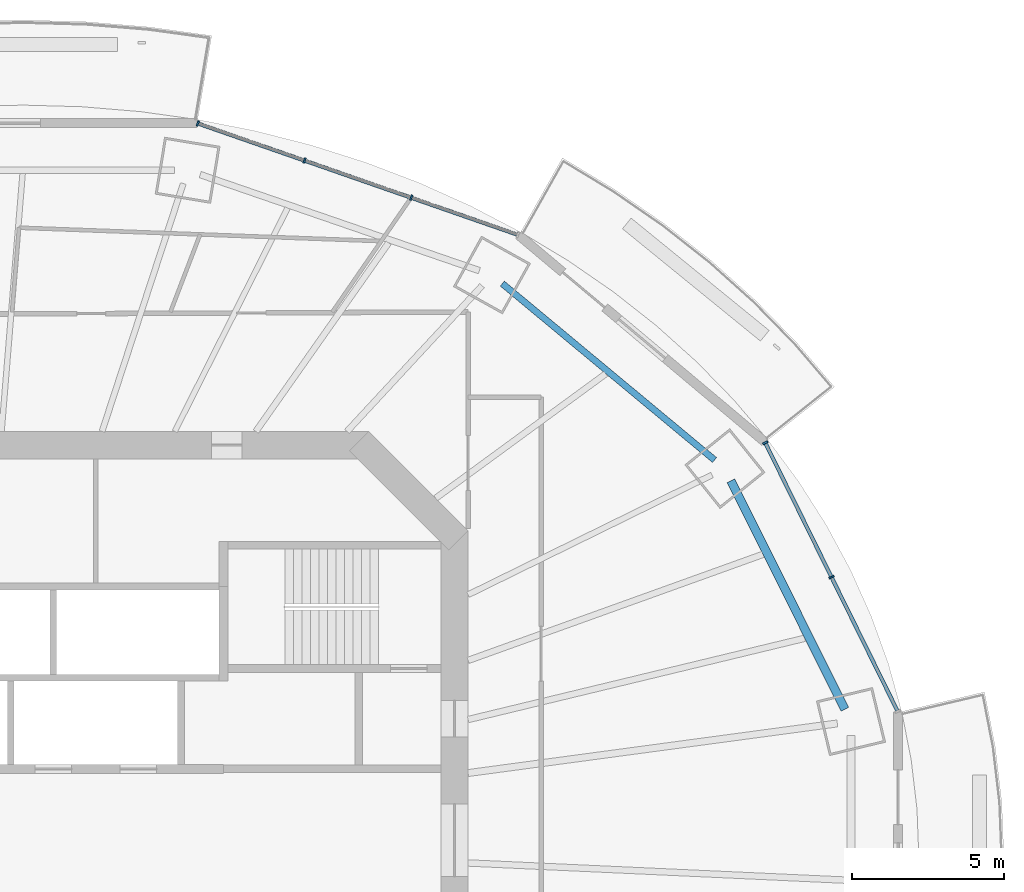
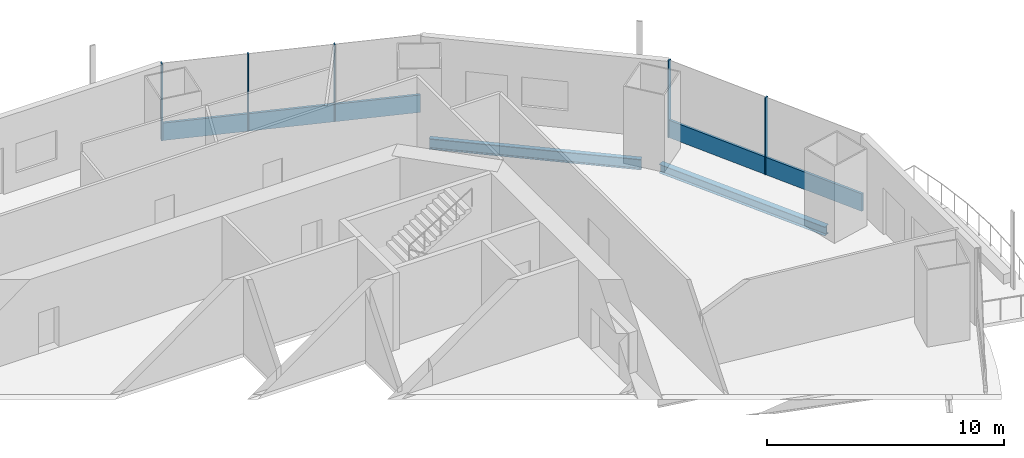
# One storey, part 8 of 18: 7 members, 2 beams, 2 elements without a shape of their own.
"""IFC4 building model written with IfcOpenShell, lengths in metres."""

from ifc_helpers import new_model, si_unit, direction, frame, origin, origin_2d, place, context, subcontext, project, spatial, rectangle, i_section, extrude, material, material_profile, profile_set, type_object, element, aggregate, save


model = new_model("IFC4")

# Units and contexts
model_context = context("Model", 3, precision=1e-05, world=origin(), true_north=direction((0.0, 1.0)))
body_context = subcontext(model_context, "Body", "Model", "MODEL_VIEW")
ifc_project = project(units=[si_unit("LENGTHUNIT", "METRE"), si_unit("AREAUNIT", "SQUARE_METRE"), si_unit("VOLUMEUNIT", "CUBIC_METRE"), si_unit("PLANEANGLEUNIT", "RADIAN"), si_unit("MASSUNIT", "GRAM", prefix="KILO")], contexts=[model_context])

# Site, building, storey
site_placement = place(None, origin())
site = spatial("IfcSite", under=ifc_project, at=site_placement, CompositionType="ELEMENT")
building_placement = place(site_placement, origin())
building = spatial("IfcBuilding", under=site, at=building_placement, Name="Marenthal Gate Tower", CompositionType="ELEMENT")
storey_placement = place(building_placement, frame((0.0, 0.0, 264.800048828125)))
storey = spatial("IfcBuildingStorey", under=building, at=storey_placement, Name="L59", CompositionType="ELEMENT", Elevation=264.800048828125)

# Curtain wall, members
ifc_material_1 = material(Name="Aluminium and glass", Category="aluminium")
curtain_wall_type = type_object("IfcCurtainWallType", Name="Curtain wall typical mid", PredefinedType="NOTDEFINED", material=ifc_material_1)
curtain_wall_1_placement = place(storey_placement, origin())
curtain_wall_1 = element("IfcCurtainWall", 1, at=curtain_wall_1_placement, inside=storey, type_object=curtain_wall_type, Name="Curtain wall L59 bay 1", PredefinedType="NOTDEFINED")
ifc_material_2 = material(Name="Aluminium", Category="aluminium")
ifc_material_profile_1 = material_profile(ifc_material_2, rectangle(XDim=0.179931640625, YDim=0.06005859375, at=origin_2d()), Name="60x180 aluminium mullion")
ifc_profile_set_1 = profile_set([ifc_material_profile_1], Name="Aluminium")
member_type_1 = type_object("IfcMemberType", Name="Mullion 60x180 typical mid", PredefinedType="MULLION", material=ifc_profile_set_1)
member_1_placement = place(storey_placement, frame((28.40478515625, 8.65869140625, 0.0), z_axis=(0.0, 0.0, 1.0), x_axis=(-0.896920632002, -0.442191564697, 0.0)))
member_1 = element("IfcMember", 2, at=member_1_placement, type_object=member_type_1, Name="Mullion L59 bay 1.2", PredefinedType="MULLION", context=body_context, shape_type="SweptSolid", body=[
    extrude(rectangle(XDim=0.179931640625, YDim=0.06005859375, at=origin_2d()), origin(), (0.0, 0.0, 1.0), 3.969970703125),
])
member_2_placement = place(storey_placement, frame((26.22607421875, 13.077880859375, 0.0), z_axis=(0.0, 0.0, 1.0), x_axis=(-0.896920632002, -0.442191564697, 0.0)))
member_2 = element("IfcMember", 3, at=member_2_placement, type_object=member_type_1, Name="Mullion L59 bay 1.3", PredefinedType="MULLION", context=body_context, shape_type="SweptSolid", body=[
    extrude(rectangle(XDim=0.179931640625, YDim=0.06005859375, at=origin_2d()), origin(), (0.0, 0.0, 1.0), 3.969970703125),
])

curtain_wall_2_placement = place(storey_placement, origin())
curtain_wall_2 = element("IfcCurtainWall", 4, at=curtain_wall_2_placement, inside=storey, type_object=curtain_wall_type, Name="Curtain wall L59 bay 3", PredefinedType="NOTDEFINED")
member_3_placement = place(storey_placement, frame((14.57470703125, 21.141845703125, 0.0), z_axis=(0.0, 0.0, 1.0), x_axis=(-0.328669787971, -0.944444900709, 0.0)))
member_3 = element("IfcMember", 5, at=member_3_placement, type_object=member_type_1, Name="Mullion L59 bay 3.2", PredefinedType="MULLION", context=body_context, shape_type="SweptSolid", body=[
    extrude(rectangle(XDim=0.179931640625, YDim=0.06005859375, at=origin_2d()), origin(), (0.0, 0.0, 1.0), 3.969970703125),
])
member_4_placement = place(storey_placement, frame((11.0654296875, 22.363037109375, 0.0), z_axis=(0.0, 0.0, 1.0), x_axis=(-0.328669787971, -0.944444900709, 0.0)))
member_4 = element("IfcMember", 6, at=member_4_placement, type_object=member_type_1, Name="Mullion L59 bay 3.3", PredefinedType="MULLION", context=body_context, shape_type="SweptSolid", body=[
    extrude(rectangle(XDim=0.179931640625, YDim=0.06005859375, at=origin_2d()), origin(), (0.0, 0.0, 1.0), 3.969970703125),
])
member_5_placement = place(storey_placement, frame((7.556396484375, 23.584228515625, 0.0), z_axis=(0.0, 0.0, 1.0), x_axis=(-0.328669787971, -0.944444900709, 0.0)))
member_5 = element("IfcMember", 7, at=member_5_placement, type_object=member_type_1, Name="Mullion L59 bay 3.4", PredefinedType="MULLION", context=body_context, shape_type="SweptSolid", body=[
    extrude(rectangle(XDim=0.179931640625, YDim=0.06005859375, at=origin_2d()), origin(), (0.0, 0.0, 1.0), 3.969970703125),
])

# Member
ifc_material_3 = material(Name="Aluminium", Category="aluminium")
ifc_material_profile_2 = material_profile(ifc_material_3, rectangle(XDim=0.1201171875, YDim=0.89990234375, at=origin_2d()), Name="120x900 aluminium transom")
ifc_profile_set_2 = profile_set([ifc_material_profile_2], Name="Aluminium")
member_type_2 = type_object("IfcMemberType", Name="Transom 120x900 typical mid", PredefinedType="USERDEFINED", material=ifc_profile_set_2)
member_6_placement = place(storey_placement, frame((30.5703125, 4.266357421875, 0.449951171875), z_axis=(-0.442201293044, 0.896915835756, 0.0), x_axis=(-0.896915835756, -0.442201293044, 0.0)))
member_6 = element("IfcMember", 8, at=member_6_placement, type_object=member_type_2, Name="Transom L59 bay 1", ObjectType="TRANSOM", PredefinedType="USERDEFINED", context=body_context, shape_type="SweptSolid", body=[
    extrude(rectangle(XDim=0.1201171875, YDim=0.89990234375, at=origin_2d()), origin(), (0.0, 0.0, 1.0), 9.794189453125),
])

aggregate(curtain_wall_1, [member_1, member_2, member_6])

member_7_placement = place(storey_placement, frame((18.055419921875, 19.930419921875, 0.449951171875), z_axis=(-0.944445984358, 0.328666674047, 0.0), x_axis=(-0.328666674047, -0.944445984358, 0.0)))
member_7 = element("IfcMember", 9, at=member_7_placement, type_object=member_type_2, Name="Transom L59 bay 3", ObjectType="TRANSOM", PredefinedType="USERDEFINED", context=body_context, shape_type="SweptSolid", body=[
    extrude(rectangle(XDim=0.1201171875, YDim=0.89990234375, at=origin_2d()), origin(), (0.0, 0.0, 1.0), 11.086669921875),
])

aggregate(curtain_wall_2, [member_3, member_4, member_5, member_7])

# Beams
ifc_material_4 = material(Name="Steel S355", Category="steel")
ifc_material_profile_3 = material_profile(ifc_material_4, i_section(OverallWidth=0.279052734375, OverallDepth=0.4619140625, WebThickness=0.0107421875, FlangeThickness=0.017333984375, FilletRadius=0.010009765625, at=origin_2d()), Name="W460X113")
ifc_profile_set_3 = profile_set([ifc_material_profile_3], Name="Steel S355")
beam_type_1 = type_object("IfcBeamType", Name="W460X113 beam", PredefinedType="BEAM", material=ifc_profile_set_3)
beam_1_placement = place(storey_placement, frame((28.8466796875, 4.306396484375, -0.4111328125), z_axis=(-0.446062695792, 0.895001715877, 0.0), x_axis=(-0.895001715877, -0.446062695792, 0.0)))
element("IfcBeam", 10, at=beam_1_placement, inside=storey, type_object=beam_type_1, Name="BM-L59-41", PredefinedType="BEAM", context=body_context, shape_type="SweptSolid", body=[
    extrude(i_section(OverallWidth=0.279052734375, OverallDepth=0.4619140625, WebThickness=0.0107421875, FlangeThickness=0.017333984375, FilletRadius=0.010009765625, at=origin_2d()), origin(), (0.0, 0.0, 1.0), 8.403076171875),
])
ifc_material_5 = material(Name="Steel S355", Category="steel")
ifc_material_profile_4 = material_profile(ifc_material_5, i_section(OverallWidth=0.2119140625, OverallDepth=0.5439453125, WebThickness=0.01318359375, FlangeThickness=0.021240234375, FilletRadius=0.0126953125, at=origin_2d()), Name="W530X123")
ifc_profile_set_4 = profile_set([ifc_material_profile_4], Name="Steel S355")
beam_type_2 = type_object("IfcBeamType", Name="W530X123 beam", PredefinedType="BEAM", material=ifc_profile_set_4)
beam_2_placement = place(storey_placement, frame((24.5576171875, 12.5107421875, -0.4521484375), z_axis=(-0.769071224025, 0.639163087464, 0.0), x_axis=(-0.639163087464, -0.769071224025, 0.0)))
element("IfcBeam", 11, at=beam_2_placement, inside=storey, type_object=beam_type_2, Name="BM-L59-42", PredefinedType="BEAM", context=body_context, shape_type="SweptSolid", body=[
    extrude(i_section(OverallWidth=0.2119140625, OverallDepth=0.5439453125, WebThickness=0.01318359375, FlangeThickness=0.021240234375, FilletRadius=0.0126953125, at=origin_2d()), origin(), (0.0, 0.0, 1.0), 9.0810546875),
])

save(model, "model.ifc")
